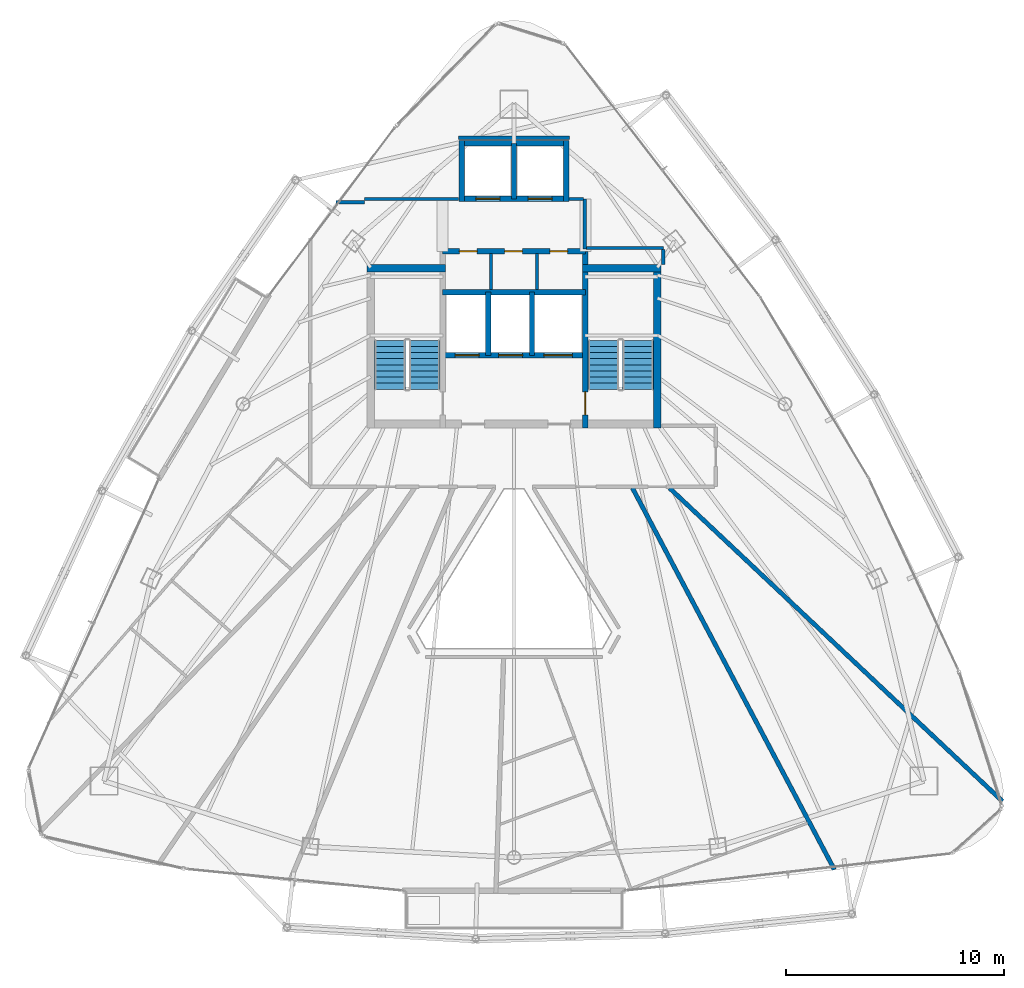
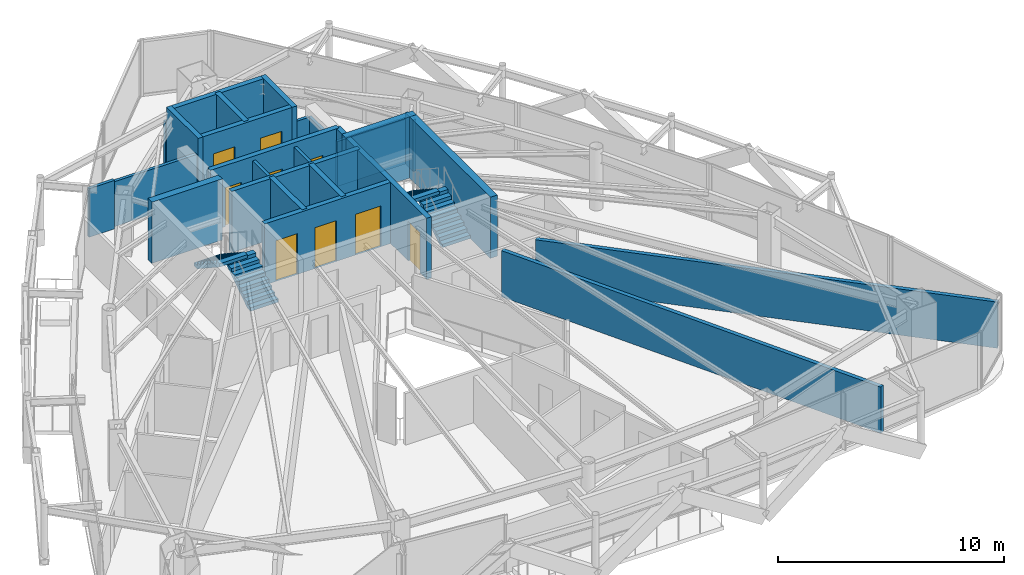
# One storey, part 28 of 30: 25 walls, 9 doors, 4 stair flights, 9 openings, 2 elements without a shape of their own.
"""IFC4 building model written with IfcOpenShell, lengths in metres."""

from ifc_helpers import new_model, si_unit, direction, frame, frame_2d, origin, place, context, subcontext, project, spatial, polyline, rectangle, outline, extrude, material, layer, layer_set, type_object, element, fill, aggregate, save


model = new_model("IFC4")

# Units and contexts
model_context = context("Model", 3, precision=1e-05, world=origin(), true_north=direction((0.0, 1.0)))
body_context = subcontext(model_context, "Body", "Model", "MODEL_VIEW")
ifc_project = project(units=[si_unit("LENGTHUNIT", "METRE"), si_unit("AREAUNIT", "SQUARE_METRE"), si_unit("VOLUMEUNIT", "CUBIC_METRE"), si_unit("PLANEANGLEUNIT", "RADIAN"), si_unit("MASSUNIT", "GRAM", prefix="KILO")], contexts=[model_context])

# Site, building, storey
site_placement = place(None, origin())
site = spatial("IfcSite", under=ifc_project, at=site_placement, CompositionType="ELEMENT")
building_placement = place(site_placement, origin())
building = spatial("IfcBuilding", under=site, at=building_placement, Name="Orvanel Arch Residences", CompositionType="ELEMENT")
storey_placement = place(building_placement, frame((0.0, 0.0, 240.35009765625)))
storey = spatial("IfcBuildingStorey", under=building, at=storey_placement, Name="L68", CompositionType="ELEMENT", Elevation=240.35009765625)

# Wall, opening, door
ifc_material_1 = material(Name="Concrete N50 (50 MPa)", Category="concrete")
ifc_layer_1 = layer(ifc_material_1, 0.25)
ifc_layer_set_1 = layer_set([ifc_layer_1], Name="Concrete N50 (50 MPa)")
wall_type_1 = type_object("IfcWallType", Name="SW-CORE-250", PredefinedType="SHEAR", material=ifc_layer_set_1)
wall_1_placement = place(storey_placement, frame((36.27490234375, 26.550048828125, 0.0), z_axis=(0.0, 0.0, 1.0), x_axis=(0.0, 1.0, 0.0)))
wall_1 = element("IfcWall", 1, at=wall_1_placement, inside=storey, type_object=wall_type_1, Name="L68 East Inner Core Spine Shear Wall", PredefinedType="SHEAR", context=body_context, shape_type="SweptSolid", body=[
    extrude(rectangle(XDim=8.099853515625, YDim=0.25, at=frame_2d((4.0498046875, 0.0))), origin(), (0.0, 0.0, 1.0), 3.2998046875),
])
opening_1_placement = place(wall_1_placement, frame((0.60009765625, 0.0, 0.0)))
opening_1 = element("IfcOpeningElement", 2, at=opening_1_placement, cuts=wall_1, Name="Opening DF-120", PredefinedType="OPENING", context=body_context, shape_type="SweptSolid", body=[
    extrude(rectangle(XDim=1.050048828125, YDim=2.14990234375, at=frame_2d((0.52490234375, 1.074951171875))), frame((0.0, 0.135009765625, 0.0), z_axis=(0.0, -1.0, 0.0), x_axis=(1.0, 0.0, 0.0)), (0.0, 0.0, 1.0), 0.27001953125),
])
ifc_material_2 = material(Name="Galvanised steel fire-resisting door assembly", Category="steel")
door_type_1 = type_object("IfcDoorType", Name="DR-FD120-1050", OperationType="NOTDEFINED", PredefinedType="DOOR", material=ifc_material_2)
door_1_placement = place(opening_1_placement, origin())
door_1 = element("IfcDoor", 3, at=door_1_placement, inside=storey, type_object=door_type_1, Name="DR-L68-ST2 L68 Stair 2 Fire Door", OperationType="SINGLE_SWING_RIGHT", OverallHeight=2.14990234375, OverallWidth=1.050048828125, PredefinedType="DOOR", context=body_context, shape_type="SweptSolid", body=[
    extrude(rectangle(XDim=1.050048828125, YDim=2.14990234375, at=frame_2d((0.52490234375, 1.074951171875))), frame((0.0, 0.02490234375, 0.0), z_axis=(0.0, -1.0, 0.0), x_axis=(1.0, 0.0, 0.0)), (0.0, 0.0, 1.0), 0.050048828125),
])
fill(opening_1, door_1)

# Wall, openings, doors
wall_2_placement = place(storey_placement, frame((36.27490234375, 29.875, 0.0), z_axis=(0.0, 0.0, 1.0), x_axis=(-1.0, 0.0, 0.0)))
wall_2 = element("IfcWall", 4, at=wall_2_placement, inside=storey, type_object=wall_type_1, Name="L68 Emergency Lift Front Core Shear Wall", PredefinedType="SHEAR", context=body_context, shape_type="SweptSolid", body=[
    extrude(rectangle(XDim=6.5498046875, YDim=0.25, at=frame_2d((3.27490234375, 0.0))), origin(), (0.0, 0.0, 1.0), 3.2998046875),
])
opening_2_placement = place(wall_2_placement, frame((4.875, 0.0, 0.0)))
opening_2 = element("IfcOpeningElement", 5, at=opening_2_placement, cuts=wall_2, Name="Opening LD-110", PredefinedType="OPENING", context=body_context, shape_type="SweptSolid", body=[
    extrude(rectangle(XDim=1.10009765625, YDim=2.199951171875, at=frame_2d((0.550048828125, 1.10009765625))), frame((0.0, 0.135009765625, 0.0), z_axis=(0.0, -1.0, 0.0), x_axis=(1.0, 0.0, 0.0)), (0.0, 0.0, 1.0), 0.27001953125),
])
opening_3_placement = place(wall_2_placement, frame((2.875, 0.0, 0.0)))
opening_3 = element("IfcOpeningElement", 6, at=opening_3_placement, cuts=wall_2, Name="Opening LD-110", PredefinedType="OPENING", context=body_context, shape_type="SweptSolid", body=[
    extrude(rectangle(XDim=1.10009765625, YDim=2.199951171875, at=frame_2d((0.550048828125, 1.10009765625))), frame((0.0, 0.135009765625, 0.0), z_axis=(0.0, -1.0, 0.0), x_axis=(1.0, 0.0, 0.0)), (0.0, 0.0, 1.0), 0.27001953125),
])
opening_4_placement = place(wall_2_placement, frame((0.60009765625, 0.0, 0.0)))
opening_4 = element("IfcOpeningElement", 7, at=opening_4_placement, cuts=wall_2, Name="Opening LD-130", PredefinedType="OPENING", context=body_context, shape_type="SweptSolid", body=[
    extrude(rectangle(XDim=1.300048828125, YDim=2.199951171875, at=frame_2d((0.64990234375, 1.10009765625))), frame((0.0, 0.135009765625, 0.0), z_axis=(0.0, -1.0, 0.0), x_axis=(1.0, 0.0, 0.0)), (0.0, 0.0, 1.0), 0.27001953125),
])
door_type_2 = type_object("IfcDoorType", Name="DR-LFT-1100", OperationType="NOTDEFINED", PredefinedType="DOOR", material=ifc_material_2)
door_2_placement = place(opening_2_placement, origin())
door_2 = element("IfcDoor", 8, at=door_2_placement, inside=storey, type_object=door_type_2, Name="LD-F1-L68 L68 Lift F1 Sliding Landing Door", OperationType="DOUBLE_DOOR_SLIDING", OverallHeight=2.199951171875, OverallWidth=1.10009765625, PredefinedType="DOOR", context=body_context, shape_type="SweptSolid", body=[
    extrude(rectangle(XDim=1.10009765625, YDim=2.199951171875, at=frame_2d((0.550048828125, 1.10009765625))), frame((0.0, 0.02490234375, 0.0), z_axis=(0.0, -1.0, 0.0), x_axis=(1.0, 0.0, 0.0)), (0.0, 0.0, 1.0), 0.050048828125),
])
fill(opening_2, door_2)
door_3_placement = place(opening_3_placement, origin())
door_3 = element("IfcDoor", 9, at=door_3_placement, inside=storey, type_object=door_type_2, Name="LD-F2-L68 L68 Lift F2 Sliding Landing Door", OperationType="DOUBLE_DOOR_SLIDING", OverallHeight=2.199951171875, OverallWidth=1.10009765625, PredefinedType="DOOR", context=body_context, shape_type="SweptSolid", body=[
    extrude(rectangle(XDim=1.10009765625, YDim=2.199951171875, at=frame_2d((0.550048828125, 1.10009765625))), frame((0.0, 0.02490234375, 0.0), z_axis=(0.0, -1.0, 0.0), x_axis=(1.0, 0.0, 0.0)), (0.0, 0.0, 1.0), 0.050048828125),
])
fill(opening_3, door_3)
door_type_3 = type_object("IfcDoorType", Name="DR-LFT-1300", OperationType="NOTDEFINED", PredefinedType="DOOR", material=ifc_material_2)
door_4_placement = place(opening_4_placement, origin())
door_4 = element("IfcDoor", 10, at=door_4_placement, inside=storey, type_object=door_type_3, Name="LD-G1-L68 L68 Lift G1 Sliding Landing Door", OperationType="DOUBLE_DOOR_SLIDING", OverallHeight=2.199951171875, OverallWidth=1.300048828125, PredefinedType="DOOR", context=body_context, shape_type="SweptSolid", body=[
    extrude(rectangle(XDim=1.300048828125, YDim=2.199951171875, at=frame_2d((0.64990234375, 1.10009765625))), frame((0.0, 0.02490234375, 0.0), z_axis=(0.0, -1.0, 0.0), x_axis=(1.0, 0.0, 0.0)), (0.0, 0.0, 1.0), 0.050048828125),
])
fill(opening_4, door_4)

# Walls
wall_3_placement = place(storey_placement, frame((29.72509765625, 32.77490234375, 0.0), z_axis=(0.0, 0.0, 1.0), x_axis=(1.0, 0.0, 0.0)))
element("IfcWall", 11, at=wall_3_placement, inside=storey, type_object=wall_type_1, Name="L68 Emergency Lift Back Core Shear Wall", PredefinedType="SHEAR", context=body_context, shape_type="SweptSolid", body=[
    extrude(rectangle(XDim=6.5498046875, YDim=0.25, at=frame_2d((3.27490234375, 0.0))), origin(), (0.0, 0.0, 1.0), 3.2998046875),
])
for number, where, z_axis, x_axis, name in (
    (12, (31.824951171875, 29.875, 0.0), (0.0, 0.0, 1.0), (0.0, 1.0, 0.0), "L68 Emergency Lift Inter-Shaft Wall F12"),
    (13, (33.824951171875, 29.875, 0.0), (0.0, 0.0, 1.0), (0.0, 1.0, 0.0), "L68 Emergency Lift Inter-Shaft Wall F2G"),
):
    element("IfcWall", number, at=place(storey_placement, frame(where, z_axis=z_axis, x_axis=x_axis)), inside=storey, type_object=wall_type_1, Name=name, PredefinedType="SHEAR", context=body_context, shape_type="SweptSolid", body=[
        extrude(rectangle(XDim=2.89990234375, YDim=0.25, at=frame_2d((1.449951171875, 0.0))), origin(), (0.0, 0.0, 1.0), 3.2998046875),
    ])

# Wall, openings, doors
wall_4_placement = place(storey_placement, frame((29.72509765625, 34.64990234375, 0.0), z_axis=(0.0, 0.0, 1.0), x_axis=(1.0, 0.0, 0.0)))
wall_4 = element("IfcWall", 14, at=wall_4_placement, inside=storey, type_object=wall_type_1, Name="L68 Core Service Band North Shear Wall", PredefinedType="SHEAR", context=body_context, shape_type="SweptSolid", body=[
    extrude(rectangle(XDim=6.5498046875, YDim=0.25, at=frame_2d((3.27490234375, 0.0))), origin(), (0.0, 0.0, 1.0), 3.2998046875),
])
opening_5_placement = place(wall_4_placement, frame((0.764892578125, 0.0, 0.0)))
opening_5 = element("IfcOpeningElement", 15, at=opening_5_placement, cuts=wall_4, Name="Opening DS-082", PredefinedType="OPENING", context=body_context, shape_type="SweptSolid", body=[
    extrude(rectangle(XDim=0.820068359375, YDim=2.10009765625, at=frame_2d((0.41015625, 1.050048828125))), frame((0.0, 0.135009765625, 0.0), z_axis=(0.0, -1.0, 0.0), x_axis=(1.0, 0.0, 0.0)), (0.0, 0.0, 1.0), 0.27001953125),
])
opening_6_placement = place(wall_4_placement, frame((2.840087890625, 0.0, 0.0)))
opening_6 = element("IfcOpeningElement", 16, at=opening_6_placement, cuts=wall_4, Name="Opening DS-082", PredefinedType="OPENING", context=body_context, shape_type="SweptSolid", body=[
    extrude(rectangle(XDim=0.820068359375, YDim=2.10009765625, at=frame_2d((0.41015625, 1.050048828125))), frame((0.0, 0.135009765625, 0.0), z_axis=(0.0, -1.0, 0.0), x_axis=(1.0, 0.0, 0.0)), (0.0, 0.0, 1.0), 0.27001953125),
])
opening_7_placement = place(wall_4_placement, frame((4.9150390625, 0.0, 0.0)))
opening_7 = element("IfcOpeningElement", 17, at=opening_7_placement, cuts=wall_4, Name="Opening DS-082", PredefinedType="OPENING", context=body_context, shape_type="SweptSolid", body=[
    extrude(rectangle(XDim=0.820068359375, YDim=2.10009765625, at=frame_2d((0.41015625, 1.050048828125))), frame((0.0, 0.135009765625, 0.0), z_axis=(0.0, -1.0, 0.0), x_axis=(1.0, 0.0, 0.0)), (0.0, 0.0, 1.0), 0.27001953125),
])
door_type_4 = type_object("IfcDoorType", Name="DR-SVC-820", OperationType="NOTDEFINED", PredefinedType="DOOR", material=ifc_material_2)
door_5_placement = place(opening_5_placement, origin())
door_5 = element("IfcDoor", 18, at=door_5_placement, inside=storey, type_object=door_type_4, Name="DR-L68-CSVC-1 L68 Housekeeping Store Door", OperationType="SINGLE_SWING_LEFT", OverallHeight=2.10009765625, OverallWidth=0.820068359375, PredefinedType="DOOR", context=body_context, shape_type="SweptSolid", body=[
    extrude(rectangle(XDim=0.820068359375, YDim=2.10009765625, at=frame_2d((0.41015625, 1.050048828125))), frame((0.0, 0.02490234375, 0.0), z_axis=(0.0, -1.0, 0.0), x_axis=(1.0, 0.0, 0.0)), (0.0, 0.0, 1.0), 0.050048828125),
])
fill(opening_5, door_5)
door_6_placement = place(opening_6_placement, origin())
door_6 = element("IfcDoor", 19, at=door_6_placement, inside=storey, type_object=door_type_4, Name="DR-L68-CSVC-2 L68 Cleaner's Store Door", OperationType="SINGLE_SWING_LEFT", OverallHeight=2.10009765625, OverallWidth=0.820068359375, PredefinedType="DOOR", context=body_context, shape_type="SweptSolid", body=[
    extrude(rectangle(XDim=0.820068359375, YDim=2.10009765625, at=frame_2d((0.41015625, 1.050048828125))), frame((0.0, 0.02490234375, 0.0), z_axis=(0.0, -1.0, 0.0), x_axis=(1.0, 0.0, 0.0)), (0.0, 0.0, 1.0), 0.050048828125),
])
fill(opening_6, door_6)
door_7_placement = place(opening_7_placement, origin())
door_7 = element("IfcDoor", 20, at=door_7_placement, inside=storey, type_object=door_type_4, Name="DR-L68-CSVC-3 L68 Comms Riser Store Door", OperationType="SINGLE_SWING_LEFT", OverallHeight=2.10009765625, OverallWidth=0.820068359375, PredefinedType="DOOR", context=body_context, shape_type="SweptSolid", body=[
    extrude(rectangle(XDim=0.820068359375, YDim=2.10009765625, at=frame_2d((0.41015625, 1.050048828125))), frame((0.0, 0.02490234375, 0.0), z_axis=(0.0, -1.0, 0.0), x_axis=(1.0, 0.0, 0.0)), (0.0, 0.0, 1.0), 0.050048828125),
])
fill(opening_7, door_7)

wall_5_placement = place(storey_placement, frame((35.52490234375, 37.050048828125, 0.0), z_axis=(0.0, 0.0, 1.0), x_axis=(-1.0, 0.0, 0.0)))
wall_5 = element("IfcWall", 21, at=wall_5_placement, inside=storey, type_object=wall_type_1, Name="L68 Passenger Lift Bank Front Shear Wall", PredefinedType="SHEAR", context=body_context, shape_type="SweptSolid", body=[
    extrude(rectangle(XDim=5.0498046875, YDim=0.25, at=frame_2d((2.52490234375, 0.0))), origin(), (0.0, 0.0, 1.0), 3.2998046875),
])
opening_8_placement = place(wall_5_placement, frame((3.175048828125, 0.0, 0.0)))
opening_8 = element("IfcOpeningElement", 22, at=opening_8_placement, cuts=wall_5, Name="Opening LD-110", PredefinedType="OPENING", context=body_context, shape_type="SweptSolid", body=[
    extrude(rectangle(XDim=1.10009765625, YDim=2.199951171875, at=frame_2d((0.550048828125, 1.10009765625))), frame((0.0, 0.135009765625, 0.0), z_axis=(0.0, -1.0, 0.0), x_axis=(1.0, 0.0, 0.0)), (0.0, 0.0, 1.0), 0.27001953125),
])
opening_9_placement = place(wall_5_placement, frame((0.77490234375, 0.0, 0.0)))
opening_9 = element("IfcOpeningElement", 23, at=opening_9_placement, cuts=wall_5, Name="Opening LD-110", PredefinedType="OPENING", context=body_context, shape_type="SweptSolid", body=[
    extrude(rectangle(XDim=1.10009765625, YDim=2.199951171875, at=frame_2d((0.550048828125, 1.10009765625))), frame((0.0, 0.135009765625, 0.0), z_axis=(0.0, -1.0, 0.0), x_axis=(1.0, 0.0, 0.0)), (0.0, 0.0, 1.0), 0.27001953125),
])
door_8_placement = place(opening_8_placement, origin())
door_8 = element("IfcDoor", 24, at=door_8_placement, inside=storey, type_object=door_type_2, Name="LD-P5-L68 L68 Passenger Lift P5 Sliding Landing Door", OperationType="DOUBLE_DOOR_SLIDING", OverallHeight=2.199951171875, OverallWidth=1.10009765625, PredefinedType="DOOR", context=body_context, shape_type="SweptSolid", body=[
    extrude(rectangle(XDim=1.10009765625, YDim=2.199951171875, at=frame_2d((0.550048828125, 1.10009765625))), frame((0.0, 0.02490234375, 0.0), z_axis=(0.0, -1.0, 0.0), x_axis=(1.0, 0.0, 0.0)), (0.0, 0.0, 1.0), 0.050048828125),
])
fill(opening_8, door_8)
door_9_placement = place(opening_9_placement, origin())
door_9 = element("IfcDoor", 25, at=door_9_placement, inside=storey, type_object=door_type_2, Name="LD-P6-L68 L68 Passenger Lift P6 Sliding Landing Door", OperationType="DOUBLE_DOOR_SLIDING", OverallHeight=2.199951171875, OverallWidth=1.10009765625, PredefinedType="DOOR", context=body_context, shape_type="SweptSolid", body=[
    extrude(rectangle(XDim=1.10009765625, YDim=2.199951171875, at=frame_2d((0.550048828125, 1.10009765625))), frame((0.0, 0.02490234375, 0.0), z_axis=(0.0, -1.0, 0.0), x_axis=(1.0, 0.0, 0.0)), (0.0, 0.0, 1.0), 0.050048828125),
])
fill(opening_9, door_9)

# Walls
wall_6_placement = place(storey_placement, frame((30.47509765625, 39.60009765625, 0.0), z_axis=(0.0, 0.0, 1.0), x_axis=(1.0, 0.0, 0.0)))
element("IfcWall", 26, at=wall_6_placement, inside=storey, type_object=wall_type_1, Name="L68 Passenger Lift Bank North Shear Wall", PredefinedType="SHEAR", context=body_context, shape_type="SweptSolid", body=[
    extrude(rectangle(XDim=5.0498046875, YDim=0.25, at=frame_2d((2.52490234375, 0.0))), origin(), (0.0, 0.0, 1.0), 3.2998046875),
])
for number, where, z_axis, x_axis, name in (
    (27, (30.60009765625, 36.925048828125, 0.0), (0.0, 0.0, 1.0), (0.0, 1.0, 0.0), "L68 Passenger Lift Bank West Shear Wall"),
    (28, (35.39990234375, 36.925048828125, 0.0), (0.0, 0.0, 1.0), (0.0, 1.0, 0.0), "L68 Passenger Lift Bank East Shear Wall"),
):
    element("IfcWall", number, at=place(storey_placement, frame(where, z_axis=z_axis, x_axis=x_axis)), inside=storey, type_object=wall_type_1, Name=name, PredefinedType="SHEAR", context=body_context, shape_type="SweptSolid", body=[
        extrude(rectangle(XDim=2.800048828125, YDim=0.25, at=frame_2d((1.39990234375, 0.0))), origin(), (0.0, 0.0, 1.0), 3.2998046875),
    ])
wall_7_placement = place(storey_placement, frame((33.0, 37.050048828125, 0.0), z_axis=(0.0, 0.0, 1.0), x_axis=(0.0, 1.0, 0.0)))
element("IfcWall", 29, at=wall_7_placement, inside=storey, type_object=wall_type_1, Name="L68 Passenger Lift Inter-Shaft Wall P56", PredefinedType="SHEAR", context=body_context, shape_type="SweptSolid", body=[
    extrude(rectangle(XDim=2.550048828125, YDim=0.25, at=frame_2d((1.27490234375, 0.0))), origin(), (0.0, 0.0, 1.0), 3.2998046875),
])
ifc_layer_2 = layer(ifc_material_1, 0.35009765625)
ifc_layer_set_2 = layer_set([ifc_layer_2], Name="Concrete N50 (50 MPa)")
wall_type_2 = type_object("IfcWallType", Name="SW-CORE-350", PredefinedType="SHEAR", material=ifc_layer_set_2)
wall_8_placement = place(storey_placement, frame((26.25, 33.875, 0.0), z_axis=(0.0, 0.0, 1.0), x_axis=(1.0, 0.0, 0.0)))
element("IfcWall", 30, at=wall_8_placement, inside=storey, type_object=wall_type_2, Name="L68 West Stair North Shear Wall", PredefinedType="SHEAR", context=body_context, shape_type="SweptSolid", body=[
    extrude(rectangle(XDim=3.60009765625, YDim=0.35009765625, at=frame_2d((1.800048828125, 0.0))), origin(), (0.0, 0.0, 1.0), 3.2998046875),
])
wall_9_placement = place(storey_placement, frame((39.574951171875, 26.550048828125, 0.0), z_axis=(0.0, 0.0, 1.0), x_axis=(0.0, 1.0, 0.0)))
element("IfcWall", 31, at=wall_9_placement, inside=storey, type_object=wall_type_2, Name="L68 East Stair Shear Wall", PredefinedType="SHEAR", context=body_context, shape_type="SweptSolid", body=[
    extrude(rectangle(XDim=7.5, YDim=0.35009765625, at=frame_2d((3.75, 0.0))), origin(), (0.0, 0.0, 1.0), 3.2998046875),
])
wall_10_placement = place(storey_placement, frame((36.14990234375, 33.875, 0.0), z_axis=(0.0, 0.0, 1.0), x_axis=(1.0, 0.0, 0.0)))
element("IfcWall", 32, at=wall_10_placement, inside=storey, type_object=wall_type_2, Name="L68 East Stair North Shear Wall", PredefinedType="SHEAR", context=body_context, shape_type="SweptSolid", body=[
    extrude(rectangle(XDim=3.60009765625, YDim=0.35009765625, at=frame_2d((1.800048828125, 0.0))), origin(), (0.0, 0.0, 1.0), 3.2998046875),
])
ifc_material_3 = material(Name="Fire-rated plasterboard lined steel stud partition", Category="steel")
ifc_layer_3 = layer(ifc_material_3, 0.14990234375)
ifc_layer_set_3 = layer_set([ifc_layer_3], Name="Fire-rated plasterboard lined steel stud partition")
wall_type_3 = type_object("IfcWallType", Name="W-COR-150", PredefinedType="PARTITIONING", material=ifc_layer_set_3)
wall_11_placement = place(storey_placement, frame((36.25, 34.760009765625, 0.0), z_axis=(0.0, 0.0, 1.0), x_axis=(0.0, 1.0, 0.0)))
element("IfcWall", 33, at=wall_11_placement, inside=storey, type_object=wall_type_3, Name="L68 Passenger Lift Lobby East Closure Wall", PredefinedType="PARTITIONING", context=body_context, shape_type="SweptSolid", body=[
    extrude(rectangle(XDim=2.2900390625, YDim=0.14990234375, at=frame_2d((1.14501953125, 0.0))), origin(), (0.0, 0.0, 1.0), 2.4248046875),
])
wall_12_placement = place(storey_placement, frame((35.52490234375, 37.050048828125, 0.0), z_axis=(0.0, 0.0, 1.0), x_axis=(1.0, 0.0, 0.0)))
element("IfcWall", 34, at=wall_12_placement, inside=storey, type_object=wall_type_3, Name="L68 Passenger Lift Lobby North-East Wall", PredefinedType="PARTITIONING", context=body_context, shape_type="SweptSolid", body=[
    extrude(rectangle(XDim=0.6650390625, YDim=0.14990234375, at=frame_2d((0.33251953125, 0.0))), origin(), (0.0, 0.0, 1.0), 2.4248046875),
])
wall_13_placement = place(storey_placement, frame((24.845947265625, 36.89990234375, 0.0), z_axis=(0.0, 0.0, 1.0), x_axis=(1.0, 0.0, 0.0)))
element("IfcWall", 35, at=wall_13_placement, inside=storey, type_object=wall_type_3, Name="L68 Corridor Fire-Rated Partition", PredefinedType="PARTITIONING", context=body_context, shape_type="SweptSolid", body=[
    extrude(rectangle(XDim=1.303955078125, YDim=0.14990234375, at=frame_2d((0.65185546875, 0.0))), origin(), (0.0, 0.0, 1.0), 2.618896484375),
])
wall_14_placement = place(storey_placement, frame((26.14990234375, 37.050048828125, 0.0), z_axis=(0.0, 0.0, 1.0), x_axis=(1.0, 0.0, 0.0)))
element("IfcWall", 36, at=wall_14_placement, inside=storey, type_object=wall_type_3, Name="L68 Core Perimeter Partition", PredefinedType="PARTITIONING", context=body_context, shape_type="SweptSolid", body=[
    extrude(rectangle(XDim=4.300048828125, YDim=0.14990234375, at=frame_2d((2.14990234375, 0.0))), origin(), (0.0, 0.0, 1.0), 2.4248046875),
])
wall_15_placement = place(storey_placement, frame((30.449951171875, 39.85009765625, 0.0), z_axis=(0.0, 0.0, 1.0), x_axis=(1.0, 0.0, 0.0)))
element("IfcWall", 37, at=wall_15_placement, inside=storey, type_object=wall_type_3, Name="L68 Core Perimeter Partition", PredefinedType="PARTITIONING", context=body_context, shape_type="SweptSolid", body=[
    extrude(rectangle(XDim=5.10009765625, YDim=0.14990234375, at=frame_2d((2.550048828125, 0.0))), origin(), (0.0, 0.0, 1.0), 2.491943359375),
])
wall_16_placement = place(storey_placement, frame((36.31005859375, 34.800048828125, 0.0), z_axis=(0.0, 0.0, 1.0), x_axis=(1.0, 0.0, 0.0)))
element("IfcWall", 38, at=wall_16_placement, inside=storey, type_object=wall_type_3, Name="L68 Core Perimeter Partition", PredefinedType="PARTITIONING", context=body_context, shape_type="SweptSolid", body=[
    extrude(rectangle(XDim=3.5400390625, YDim=0.14990234375, at=frame_2d((1.77001953125, 0.0))), origin(), (0.0, 0.0, 1.0), 2.4248046875),
])
wall_17_placement = place(storey_placement, frame((39.85009765625, 34.739990234375, 0.0), z_axis=(0.0, 0.0, 1.0), x_axis=(0.0, -1.0, 0.0)))
element("IfcWall", 39, at=wall_17_placement, inside=storey, type_object=wall_type_3, Name="L68 Core Perimeter Partition", PredefinedType="PARTITIONING", context=body_context, shape_type="SweptSolid", body=[
    extrude(rectangle(XDim=0.68994140625, YDim=0.14990234375, at=frame_2d((0.344970703125, 0.0))), origin(), (0.0, 0.0, 1.0), 2.77294921875),
])
ifc_layer_4 = layer(ifc_material_3, 0.199951171875)
ifc_layer_set_4 = layer_set([ifc_layer_4], Name="Fire-rated plasterboard lined steel stud partition")
wall_type_4 = type_object("IfcWallType", Name="W-DEM-200", PredefinedType="PARTITIONING", material=ifc_layer_set_4)
wall_18_placement = place(storey_placement, frame((55.405029296875, 9.4208984375, 0.0), z_axis=(0.0, 0.0, 1.0), x_axis=(-0.728328495468, 0.685228139155, 0.0)))
element("IfcWall", 40, at=wall_18_placement, inside=storey, type_object=wall_type_4, Name="L68 Inter-Tenancy Acoustic Demising Wall", PredefinedType="PARTITIONING", context=body_context, shape_type="SweptSolid", body=[
    extrude(rectangle(XDim=20.969970703125, YDim=0.199951171875, at=frame_2d((10.48486328125, 0.0))), origin(), (0.0, 0.0, 1.0), 2.491943359375),
])
wall_19_placement = place(storey_placement, frame((38.43310546875, 23.7900390625, 0.0), z_axis=(0.0, 0.0, 1.0), x_axis=(0.467759118023, -0.88385598799, 0.0)))
element("IfcWall", 41, at=wall_19_placement, inside=storey, type_object=wall_type_4, Name="L68 Inter-Tenancy Acoustic Demising Wall", PredefinedType="PARTITIONING", context=body_context, shape_type="SweptSolid", body=[
    extrude(rectangle(XDim=19.80078125, YDim=0.199951171875, at=frame_2d((9.900390625, 0.0))), origin(), (0.0, 0.0, 1.0), 2.491943359375),
])
ifc_layer_5 = layer(ifc_material_3, 0.14990234375)
ifc_layer_set_5 = layer_set([ifc_layer_5], Name="Fire-rated plasterboard lined steel stud partition")
wall_type_5 = type_object("IfcWallType", Name="W-ST-150", PredefinedType="PARTITIONING", material=ifc_layer_set_5)
for number, where, z_axis, x_axis, name in (
    (42, (31.949951171875, 32.885009765625, 0.0), (0.0, 0.0, 1.0), (0.0, 1.0, 0.0), "L68 Core Service Partition 1"),
    (43, (34.050048828125, 32.885009765625, 0.0), (0.0, 0.0, 1.0), (0.0, 1.0, 0.0), "L68 Core Service Partition 2"),
):
    element("IfcWall", number, at=place(storey_placement, frame(where, z_axis=z_axis, x_axis=x_axis)), inside=storey, type_object=wall_type_5, Name=name, PredefinedType="PARTITIONING", context=body_context, shape_type="SweptSolid", body=[
        extrude(rectangle(XDim=1.655029296875, YDim=0.14990234375, at=frame_2d((0.82763671875, 0.0))), origin(), (0.0, 0.0, 1.0), 3.059814453125),
    ])

# Stair, stair flights
ifc_material_4 = material(Name="Precast concrete N50 (50 MPa)", Category="concrete")
stair_type = type_object("IfcStairType", Name="STR-DOG-184", PredefinedType="USERDEFINED", material=ifc_material_4)
stair_1_placement = place(storey_placement, origin())
stair_1 = element("IfcStair", 44, at=stair_1_placement, inside=storey, type_object=stair_type, Name="L68 Fire-Isolated Core Exit Stair 1", ObjectType="TWO_RETURN_STAIR", PredefinedType="USERDEFINED")
stair_flight_type_1 = type_object("IfcStairFlightType", Name="SFL-C1-184", PredefinedType="STRAIGHT", material=ifc_material_4)
stair_flight_1_placement = place(storey_placement, frame((28.889892578125, 28.320068359375, 0.0), z_axis=(0.0, 0.0, 1.0), x_axis=(0.0, 1.0, 0.0)))
stair_flight_1 = element("IfcStairFlight", 45, at=stair_flight_1_placement, type_object=stair_flight_type_1, Name="ST-1 flight 1", NumberOfRisers=9, NumberOfTreads=8, PredefinedType="STRAIGHT", RiserHeight=0.183333333, TreadLength=0.28, context=body_context, shape_type="SweptSolid", body=[
    extrude(outline(polyline([(0.0, 0.0), (0.0, 0.183349609375), (0.280029296875, 0.183349609375), (0.280029296875, 0.36669921875), (0.56005859375, 0.36669921875), (0.56005859375, 0.550048828125), (0.840087890625, 0.550048828125), (0.840087890625, 0.7333984375), (1.1201171875, 0.7333984375), (1.1201171875, 0.916748046875), (1.39990234375, 0.916748046875), (1.39990234375, 1.10009765625), (1.679931640625, 1.10009765625), (1.679931640625, 1.283447265625), (1.9599609375, 1.283447265625), (1.9599609375, 1.466552734375), (2.239990234375, 1.466552734375), (2.239990234375, 1.64990234375), (2.239990234375, 1.28759765625), (0.273681640625, 0.0), (0.0, 0.0)])), frame((0.0, 0.7099609375, 0.0), z_axis=(0.0, -1.0, 0.0), x_axis=(1.0, 0.0, 0.0)), (0.0, 0.0, 1.0), 1.419921875),
])
stair_flight_2_placement = place(storey_placement, frame((27.31005859375, 30.56005859375, 1.64990234375), z_axis=(0.0, 0.0, 1.0), x_axis=(0.0, -1.0, 0.0)))
stair_flight_2 = element("IfcStairFlight", 46, at=stair_flight_2_placement, type_object=stair_flight_type_1, Name="ST-1 flight 2", NumberOfRisers=9, NumberOfTreads=8, PredefinedType="STRAIGHT", RiserHeight=0.183333333, TreadLength=0.28, context=body_context, shape_type="SweptSolid", body=[
    extrude(outline(polyline([(0.0, 0.0), (0.0, 0.183349609375), (0.280029296875, 0.183349609375), (0.280029296875, 0.36669921875), (0.56005859375, 0.36669921875), (0.56005859375, 0.550048828125), (0.840087890625, 0.550048828125), (0.840087890625, 0.7333984375), (1.1201171875, 0.7333984375), (1.1201171875, 0.916748046875), (1.39990234375, 0.916748046875), (1.39990234375, 1.10009765625), (1.679931640625, 1.10009765625), (1.679931640625, 1.283447265625), (1.9599609375, 1.283447265625), (1.9599609375, 1.466552734375), (2.239990234375, 1.466552734375), (2.239990234375, 1.64990234375), (2.239990234375, 1.28759765625), (0.273681640625, 0.0), (0.0, 0.0)])), frame((0.0, 0.7099609375, 0.0), z_axis=(0.0, -1.0, 0.0), x_axis=(1.0, 0.0, 0.0)), (0.0, 0.0, 1.0), 1.419921875),
])
aggregate(stair_1, [stair_flight_1, stair_flight_2])

stair_2_placement = place(storey_placement, origin())
stair_2 = element("IfcStair", 47, at=stair_2_placement, inside=storey, type_object=stair_type, Name="L68 Fire-Isolated Core Exit Stair 2", ObjectType="TWO_RETURN_STAIR", PredefinedType="USERDEFINED")
stair_flight_type_2 = type_object("IfcStairFlightType", Name="SFL-C2-184", PredefinedType="STRAIGHT", material=ifc_material_4)
stair_flight_3_placement = place(storey_placement, frame((38.68994140625, 28.320068359375, 0.0), z_axis=(0.0, 0.0, 1.0), x_axis=(0.0, 1.0, 0.0)))
stair_flight_3 = element("IfcStairFlight", 48, at=stair_flight_3_placement, type_object=stair_flight_type_2, Name="ST-2 flight 1", NumberOfRisers=9, NumberOfTreads=8, PredefinedType="STRAIGHT", RiserHeight=0.183333333, TreadLength=0.28, context=body_context, shape_type="SweptSolid", body=[
    extrude(outline(polyline([(0.0, 0.0), (0.0, 0.183349609375), (0.280029296875, 0.183349609375), (0.280029296875, 0.36669921875), (0.56005859375, 0.36669921875), (0.56005859375, 0.550048828125), (0.840087890625, 0.550048828125), (0.840087890625, 0.7333984375), (1.1201171875, 0.7333984375), (1.1201171875, 0.916748046875), (1.39990234375, 0.916748046875), (1.39990234375, 1.10009765625), (1.679931640625, 1.10009765625), (1.679931640625, 1.283447265625), (1.9599609375, 1.283447265625), (1.9599609375, 1.466552734375), (2.239990234375, 1.466552734375), (2.239990234375, 1.64990234375), (2.239990234375, 1.28759765625), (0.273681640625, 0.0), (0.0, 0.0)])), frame((0.0, 0.7099609375, 0.0), z_axis=(0.0, -1.0, 0.0), x_axis=(1.0, 0.0, 0.0)), (0.0, 0.0, 1.0), 1.419921875),
])
stair_flight_4_placement = place(storey_placement, frame((37.110107421875, 30.56005859375, 1.64990234375), z_axis=(0.0, 0.0, 1.0), x_axis=(0.0, -1.0, 0.0)))
stair_flight_4 = element("IfcStairFlight", 49, at=stair_flight_4_placement, type_object=stair_flight_type_2, Name="ST-2 flight 2", NumberOfRisers=9, NumberOfTreads=8, PredefinedType="STRAIGHT", RiserHeight=0.183333333, TreadLength=0.28, context=body_context, shape_type="SweptSolid", body=[
    extrude(outline(polyline([(0.0, 0.0), (0.0, 0.183349609375), (0.280029296875, 0.183349609375), (0.280029296875, 0.36669921875), (0.56005859375, 0.36669921875), (0.56005859375, 0.550048828125), (0.840087890625, 0.550048828125), (0.840087890625, 0.7333984375), (1.1201171875, 0.7333984375), (1.1201171875, 0.916748046875), (1.39990234375, 0.916748046875), (1.39990234375, 1.10009765625), (1.679931640625, 1.10009765625), (1.679931640625, 1.283447265625), (1.9599609375, 1.283447265625), (1.9599609375, 1.466552734375), (2.239990234375, 1.466552734375), (2.239990234375, 1.64990234375), (2.239990234375, 1.28759765625), (0.273681640625, 0.0), (0.0, 0.0)])), frame((0.0, 0.7099609375, 0.0), z_axis=(0.0, -1.0, 0.0), x_axis=(1.0, 0.0, 0.0)), (0.0, 0.0, 1.0), 1.419921875),
])
aggregate(stair_2, [stair_flight_3, stair_flight_4])

save(model, "model.ifc")
